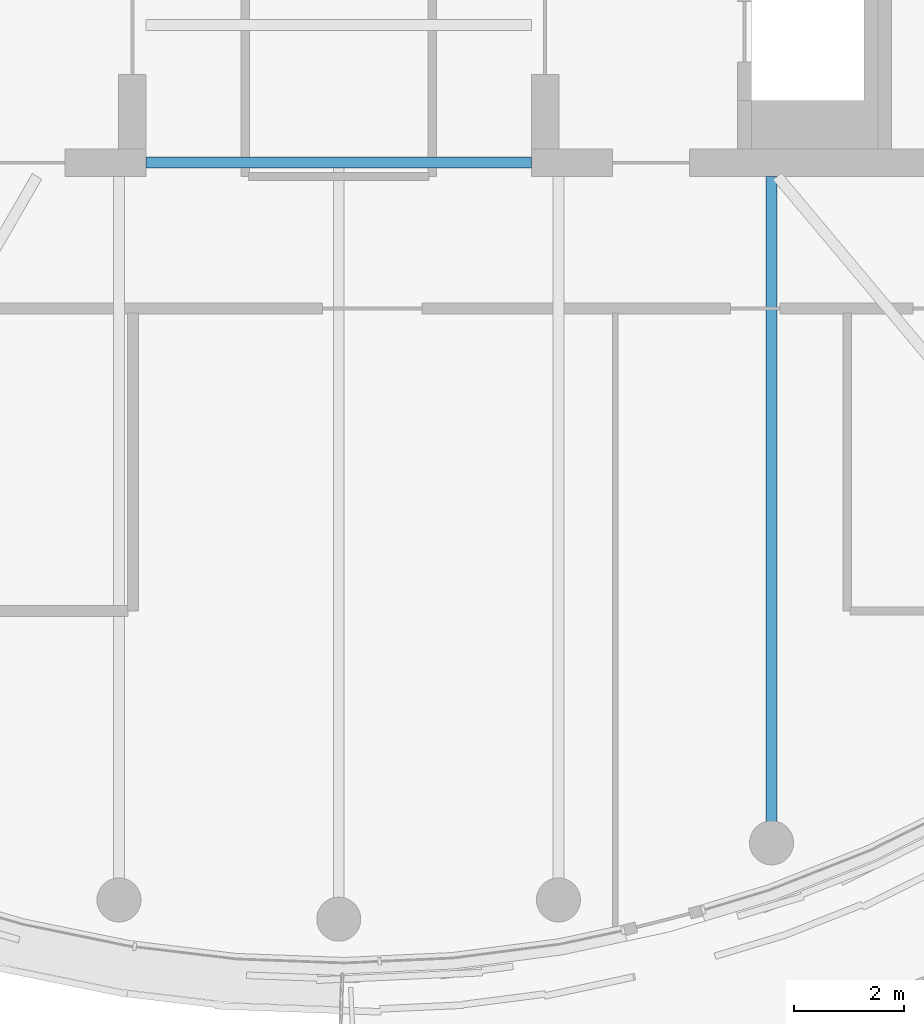
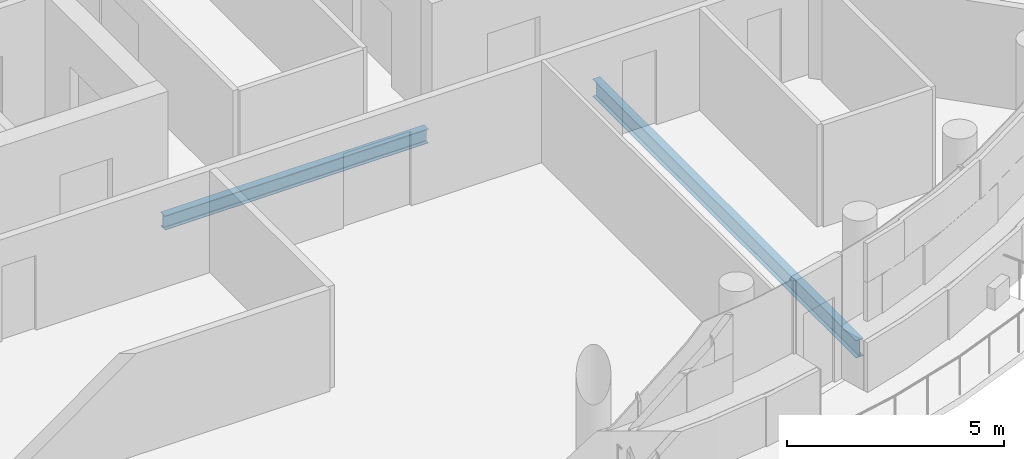
# One storey, part 3 of 21: 2 beams.
"""IFC4 building model written with IfcOpenShell, lengths in metres."""

from ifc_helpers import new_model, si_unit, direction, frame, origin, origin_2d, place, context, subcontext, project, spatial, i_section, extrude, material, material_profile, profile_set, type_object, element, save


model = new_model("IFC4")

# Units and contexts
model_context = context("Model", 3, precision=1e-05, world=origin(), true_north=direction((0.0, 1.0)))
body_context = subcontext(model_context, "Body", "Model", "MODEL_VIEW")
ifc_project = project(units=[si_unit("LENGTHUNIT", "METRE"), si_unit("AREAUNIT", "SQUARE_METRE"), si_unit("VOLUMEUNIT", "CUBIC_METRE"), si_unit("PLANEANGLEUNIT", "RADIAN"), si_unit("MASSUNIT", "GRAM", prefix="KILO")], contexts=[model_context])

# Site, building, storey
site_placement = place(None, origin())
site = spatial("IfcSite", under=ifc_project, at=site_placement, CompositionType="ELEMENT")
building_placement = place(site_placement, origin())
building = spatial("IfcBuilding", under=site, at=building_placement, Name="Tamarind Cross Interchange Tower", CompositionType="ELEMENT")
storey_placement = place(building_placement, frame((0.0, 0.0, 260.39990234375)))
storey = spatial("IfcBuildingStorey", under=building, at=storey_placement, Name="L66", CompositionType="ELEMENT", Elevation=260.39990234375)

# Beams
ifc_material = material(Name="Steel Q355B", Category="steel")
ifc_material_profile_1 = material_profile(ifc_material, i_section(OverallWidth=0.199951171875, OverallDepth=0.39990234375, WebThickness=0.008056640625, FlangeThickness=0.012939453125, FilletRadius=0.01611328125, at=origin_2d()), Name="HN 400x200x8x13")
ifc_profile_set_1 = profile_set([ifc_material_profile_1], Name="Steel Q355B")
beam_type_1 = type_object("IfcBeamType", Name="Composite beam HN 400x200x8x13 Q355B", PredefinedType="BEAM", material=ifc_profile_set_1)
beam_1_placement = place(storey_placement, frame((-3.5, -9.25, -0.33984375), z_axis=(1.0, 0.0, 0.0), x_axis=(0.0, 1.0, 0.0)))
element("IfcBeam", 1, at=beam_1_placement, inside=storey, type_object=beam_type_1, Name="Beam G-9.25", PredefinedType="BEAM", context=body_context, shape_type="SweptSolid", body=[
    extrude(i_section(OverallWidth=0.199951171875, OverallDepth=0.39990234375, WebThickness=0.008056640625, FlangeThickness=0.012939453125, FilletRadius=0.01611328125, at=origin_2d()), origin(), (0.0, 0.0, 1.0), 7.0),
])
ifc_material_profile_2 = material_profile(ifc_material, i_section(OverallWidth=0.198974609375, OverallDepth=0.49609375, WebThickness=0.009033203125, FlangeThickness=0.013916015625, FilletRadius=0.012939453125, at=origin_2d()), Name="HN 496x199x9x14")
ifc_profile_set_2 = profile_set([ifc_material_profile_2], Name="Steel Q355B")
beam_type_2 = type_object("IfcBeamType", Name="Composite beam HN 496x199x9x14 Q355B", PredefinedType="BEAM", material=ifc_profile_set_2)
beam_2_placement = place(storey_placement, frame((7.866455078125, -21.613037109375, -0.387939453125), z_axis=(0.0, 1.0, 0.0), x_axis=(-1.0, 0.0, 0.0)))
element("IfcBeam", 2, at=beam_2_placement, inside=storey, type_object=beam_type_2, Name="Beam HH29", PredefinedType="BEAM", context=body_context, shape_type="SweptSolid", body=[
    extrude(i_section(OverallWidth=0.198974609375, OverallDepth=0.49609375, WebThickness=0.009033203125, FlangeThickness=0.013916015625, FilletRadius=0.012939453125, at=origin_2d()), origin(), (0.0, 0.0, 1.0), 12.113037109375),
])

save(model, "model.ifc")
